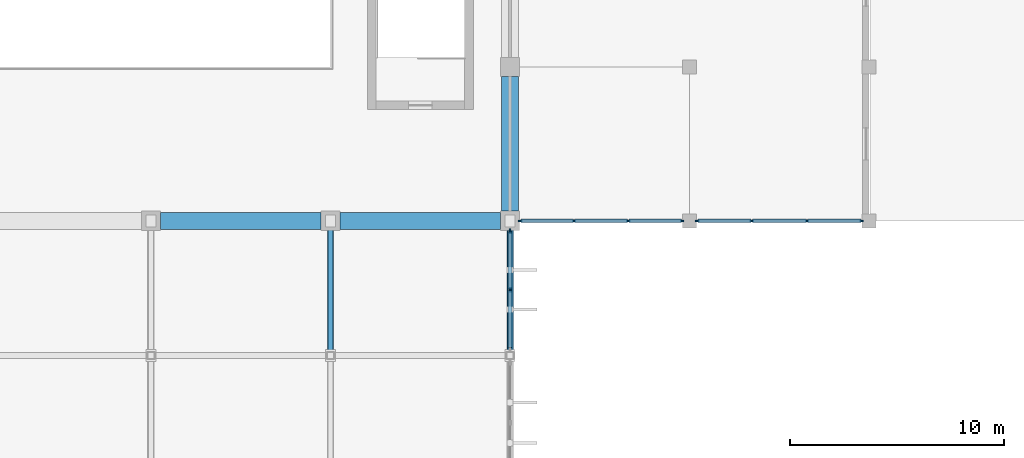
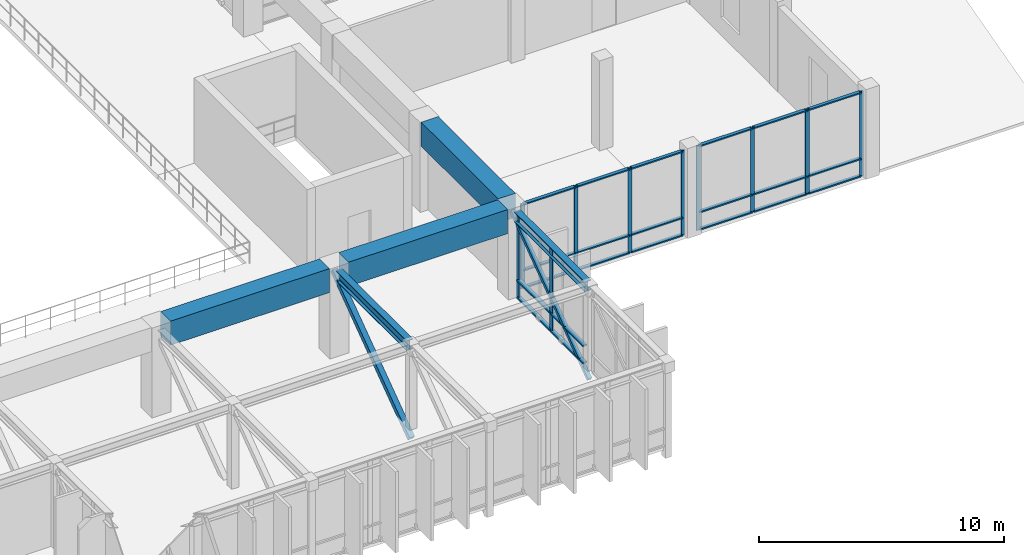
# One storey, part 9 of 40: 36 members, 5 beams, 3 elements without a shape of their own.
"""IFC4 building model written with IfcOpenShell, lengths in metres."""

from ifc_helpers import new_model, si_unit, direction, frame, origin, origin_2d, place, context, subcontext, project, spatial, rectangle, hollow_rectangle, i_section, extrude, material, material_profile, profile_set, type_object, element, aggregate, save


model = new_model("IFC4")

# Units and contexts
model_context = context("Model", 3, precision=1e-05, world=origin(), true_north=direction((0.0, 1.0)))
body_context = subcontext(model_context, "Body", "Model", "MODEL_VIEW")
ifc_project = project(units=[si_unit("LENGTHUNIT", "METRE"), si_unit("AREAUNIT", "SQUARE_METRE"), si_unit("VOLUMEUNIT", "CUBIC_METRE"), si_unit("PLANEANGLEUNIT", "RADIAN"), si_unit("MASSUNIT", "GRAM", prefix="KILO")], contexts=[model_context])

# Site, building, storey
site_placement = place(None, origin())
site = spatial("IfcSite", under=ifc_project, at=site_placement, CompositionType="ELEMENT")
building_placement = place(site_placement, origin())
building = spatial("IfcBuilding", under=site, at=building_placement, Name="Kenerak Square Central Library", CompositionType="ELEMENT")
storey_placement = place(building_placement, frame((0.0, 0.0, 14.39990234375)))
storey = spatial("IfcBuildingStorey", under=building, at=storey_placement, Name="L03", CompositionType="ELEMENT", Elevation=14.39990234375)

# Beams
ifc_material_1 = material(Name="Steel S355", Category="steel")
ifc_material_profile_1 = material_profile(ifc_material_1, i_section(OverallWidth=0.300048828125, OverallDepth=0.5, WebThickness=0.014404296875, FlangeThickness=0.028076171875, FilletRadius=0.027099609375, at=origin_2d()), Name="HEB 500")
ifc_profile_set_1 = profile_set([ifc_material_profile_1], Name="Steel S355")
beam_type_1 = type_object("IfcBeamType", Name="Backspan Steel Girder SB-03 HEB 500 S355", PredefinedType="BEAM", material=ifc_profile_set_1)
for number, where, z_axis, x_axis, name in (
    (1, (108.800048828125, 10.6201171875, 4.025146484375), (0.0, 1.0, 0.0), (-1.0, 0.0, 0.0), "Wall-Truss Chord 7 L03 104"),
    (2, (117.199951171875, 10.6201171875, 4.025146484375), (0.0, 1.0, 0.0), (-1.0, 0.0, 0.0), "Wall-Truss Chord 8 L03 120"),
):
    element("IfcBeam", number, at=place(storey_placement, frame(where, z_axis=z_axis, x_axis=x_axis)), inside=storey, type_object=beam_type_1, Name=name, PredefinedType="BEAM", context=body_context, shape_type="SweptSolid", body=[
        extrude(i_section(OverallWidth=0.300048828125, OverallDepth=0.5, WebThickness=0.014404296875, FlangeThickness=0.028076171875, FilletRadius=0.027099609375, at=origin_2d()), origin(), (0.0, 0.0, 1.0), 5.77978515625),
    ])

# Curtain wall, members
ifc_material_2 = material(Name="Anodised aluminium and solar-control low-E glazing", Category="aluminium")
curtain_wall_type_1 = type_object("IfcCurtainWallType", Name="Curtain Wall CW-V6-77x42 7750x4230", PredefinedType="USERDEFINED", material=ifc_material_2)
curtain_wall_1_placement = place(storey_placement, origin())
curtain_wall_1 = element("IfcCurtainWall", 3, at=curtain_wall_1_placement, inside=storey, type_object=curtain_wall_type_1, Name="Curtain Wall CW-V6-77x42 L03 0125", ObjectType="CURTAIN WALL", PredefinedType="USERDEFINED")
ifc_material_3 = material(Name="Anodised aluminium 6063-T6", Category="aluminium")
ifc_material_profile_2 = material_profile(ifc_material_3, rectangle(XDim=0.06494140625, YDim=0.179931640625, at=origin_2d()), Name="AL MULLION 65x180")
ifc_profile_set_2 = profile_set([ifc_material_profile_2], Name="Anodised aluminium 6063-T6")
member_type_1 = type_object("IfcMemberType", Name="Curtain Mullion CM-01 65x180", PredefinedType="MULLION", material=ifc_profile_set_2)
member_1_placement = place(storey_placement, frame((133.642578125, 16.800048828125, 0.0), z_axis=(0.0, 0.0, 1.0), x_axis=(0.0, -1.0, 0.0)))
member_1 = element("IfcMember", 4, at=member_1_placement, type_object=member_type_1, Name="CW-V6-77x42 Mullion 1", PredefinedType="MULLION", context=body_context, shape_type="SweptSolid", body=[
    extrude(rectangle(XDim=0.06494140625, YDim=0.179931640625, at=origin_2d()), origin(), (0.0, 0.0, 1.0), 4.22998046875),
])
member_2_placement = place(storey_placement, frame((131.091552734375, 16.800048828125, 0.0), z_axis=(0.0, 0.0, 1.0), x_axis=(0.0, -1.0, 0.0)))
member_2 = element("IfcMember", 5, at=member_2_placement, type_object=member_type_1, Name="CW-V6-77x42 Mullion 2", PredefinedType="MULLION", context=body_context, shape_type="SweptSolid", body=[
    extrude(rectangle(XDim=0.06494140625, YDim=0.179931640625, at=origin_2d()), origin(), (0.0, 0.0, 1.0), 4.22998046875),
])
member_3_placement = place(storey_placement, frame((128.50830078125, 16.800048828125, 0.0), z_axis=(0.0, 0.0, 1.0), x_axis=(0.0, -1.0, 0.0)))
member_3 = element("IfcMember", 6, at=member_3_placement, type_object=member_type_1, Name="CW-V6-77x42 Mullion 3", PredefinedType="MULLION", context=body_context, shape_type="SweptSolid", body=[
    extrude(rectangle(XDim=0.06494140625, YDim=0.179931640625, at=origin_2d()), origin(), (0.0, 0.0, 1.0), 4.22998046875),
])
member_4_placement = place(storey_placement, frame((125.95751953125, 16.800048828125, 0.0), z_axis=(0.0, 0.0, 1.0), x_axis=(0.0, -1.0, 0.0)))
member_4 = element("IfcMember", 7, at=member_4_placement, type_object=member_type_1, Name="CW-V6-77x42 Mullion 4", PredefinedType="MULLION", context=body_context, shape_type="SweptSolid", body=[
    extrude(rectangle(XDim=0.06494140625, YDim=0.179931640625, at=origin_2d()), origin(), (0.0, 0.0, 1.0), 4.22998046875),
])

curtain_wall_type_2 = type_object("IfcCurtainWallType", Name="Curtain Wall CW-V6-76x42 7625x4230", PredefinedType="USERDEFINED", material=ifc_material_2)
curtain_wall_2_placement = place(storey_placement, origin())
curtain_wall_2 = element("IfcCurtainWall", 8, at=curtain_wall_2_placement, inside=storey, type_object=curtain_wall_type_2, Name="Curtain Wall CW-V6-76x42 L03 0126", ObjectType="CURTAIN WALL", PredefinedType="USERDEFINED")
member_5_placement = place(storey_placement, frame((125.242431640625, 16.800048828125, 0.0), z_axis=(0.0, 0.0, 1.0), x_axis=(0.0, -1.0, 0.0)))
member_5 = element("IfcMember", 9, at=member_5_placement, type_object=member_type_1, Name="CW-V6-76x42 Mullion 1", PredefinedType="MULLION", context=body_context, shape_type="SweptSolid", body=[
    extrude(rectangle(XDim=0.06494140625, YDim=0.179931640625, at=origin_2d()), origin(), (0.0, 0.0, 1.0), 4.22998046875),
])
member_6_placement = place(storey_placement, frame((122.7333984375, 16.800048828125, 0.0), z_axis=(0.0, 0.0, 1.0), x_axis=(0.0, -1.0, 0.0)))
member_6 = element("IfcMember", 10, at=member_6_placement, type_object=member_type_1, Name="CW-V6-76x42 Mullion 2", PredefinedType="MULLION", context=body_context, shape_type="SweptSolid", body=[
    extrude(rectangle(XDim=0.06494140625, YDim=0.179931640625, at=origin_2d()), origin(), (0.0, 0.0, 1.0), 4.22998046875),
])
member_7_placement = place(storey_placement, frame((120.191650390625, 16.800048828125, 0.0), z_axis=(0.0, 0.0, 1.0), x_axis=(0.0, -1.0, 0.0)))
member_7 = element("IfcMember", 11, at=member_7_placement, type_object=member_type_1, Name="CW-V6-76x42 Mullion 3", PredefinedType="MULLION", context=body_context, shape_type="SweptSolid", body=[
    extrude(rectangle(XDim=0.06494140625, YDim=0.179931640625, at=origin_2d()), origin(), (0.0, 0.0, 1.0), 4.22998046875),
])
member_8_placement = place(storey_placement, frame((117.6826171875, 16.800048828125, 0.0), z_axis=(0.0, 0.0, 1.0), x_axis=(0.0, -1.0, 0.0)))
member_8 = element("IfcMember", 12, at=member_8_placement, type_object=member_type_1, Name="CW-V6-76x42 Mullion 4", PredefinedType="MULLION", context=body_context, shape_type="SweptSolid", body=[
    extrude(rectangle(XDim=0.06494140625, YDim=0.179931640625, at=origin_2d()), origin(), (0.0, 0.0, 1.0), 4.22998046875),
])

curtain_wall_type_3 = type_object("IfcCurtainWallType", Name="Curtain Wall CW-V1-55x42 5550x4230", PredefinedType="USERDEFINED", material=ifc_material_2)
curtain_wall_3_placement = place(storey_placement, origin())
curtain_wall_3 = element("IfcCurtainWall", 13, at=curtain_wall_3_placement, inside=storey, type_object=curtain_wall_type_3, Name="Curtain Wall CW-V1-55x42 L03 0127", ObjectType="CURTAIN WALL", PredefinedType="USERDEFINED")
ifc_material_profile_3 = material_profile(ifc_material_3, rectangle(XDim=0.074951171875, YDim=0.219970703125, at=origin_2d()), Name="AL MULLION 75x220")
ifc_profile_set_3 = profile_set([ifc_material_profile_3], Name="Anodised aluminium 6063-T6")
member_type_2 = type_object("IfcMemberType", Name="Curtain Mullion CM-02 75x220", PredefinedType="MULLION", material=ifc_profile_set_3)
member_9_placement = place(storey_placement, frame((117.199951171875, 16.3125, 0.0), z_axis=(0.0, 0.0, 1.0), x_axis=(1.0, 0.0, 0.0)))
member_9 = element("IfcMember", 14, at=member_9_placement, type_object=member_type_2, Name="CW-V1-55x42 Mullion 1", PredefinedType="MULLION", context=body_context, shape_type="SweptSolid", body=[
    extrude(rectangle(XDim=0.074951171875, YDim=0.219970703125, at=origin_2d()), origin(), (0.0, 0.0, 1.0), 4.22998046875),
])
member_10_placement = place(storey_placement, frame((117.199951171875, 13.574951171875, 0.0), z_axis=(0.0, 0.0, 1.0), x_axis=(1.0, 0.0, 0.0)))
member_10 = element("IfcMember", 15, at=member_10_placement, type_object=member_type_2, Name="CW-V1-55x42 Mullion 2", PredefinedType="MULLION", context=body_context, shape_type="SweptSolid", body=[
    extrude(rectangle(XDim=0.074951171875, YDim=0.219970703125, at=origin_2d()), origin(), (0.0, 0.0, 1.0), 4.22998046875),
])

# Member
ifc_material_profile_4 = material_profile(ifc_material_3, rectangle(XDim=0.159912109375, YDim=0.06494140625, at=origin_2d()), Name="AL TRANSOM 160x65")
ifc_profile_set_4 = profile_set([ifc_material_profile_4], Name="Anodised aluminium 6063-T6")
member_type_3 = type_object("IfcMemberType", Name="Curtain Transom CT-11 160x65", PredefinedType="USERDEFINED", material=ifc_profile_set_4)
member_11_placement = place(storey_placement, frame((133.610107421875, 16.800048828125, 0.03271484375), z_axis=(-1.0, 0.0, 0.0), x_axis=(0.0, -1.0, 0.0)))
member_11 = element("IfcMember", 16, at=member_11_placement, type_object=member_type_3, Name="CW-V6-77x42 Transom 1.1", ObjectType="TRANSOM", PredefinedType="USERDEFINED", context=body_context, shape_type="SweptSolid", body=[
    extrude(rectangle(XDim=0.159912109375, YDim=0.06494140625, at=origin_2d()), origin(), (0.0, 0.0, 1.0), 2.48583984375),
])

member_12_placement = place(storey_placement, frame((133.610107421875, 16.800048828125, 0.900146484375), z_axis=(-1.0, 0.0, 0.0), x_axis=(0.0, -1.0, 0.0)))
member_12 = element("IfcMember", 17, at=member_12_placement, type_object=member_type_3, Name="CW-V6-77x42 Transom 1.2", ObjectType="TRANSOM", PredefinedType="USERDEFINED", context=body_context, shape_type="SweptSolid", body=[
    extrude(rectangle(XDim=0.159912109375, YDim=0.06494140625, at=origin_2d()), origin(), (0.0, 0.0, 1.0), 2.48583984375),
])

member_13_placement = place(storey_placement, frame((133.610107421875, 16.800048828125, 4.197509765625), z_axis=(-1.0, 0.0, 0.0), x_axis=(0.0, -1.0, 0.0)))
member_13 = element("IfcMember", 18, at=member_13_placement, type_object=member_type_3, Name="CW-V6-77x42 Transom 1.3", ObjectType="TRANSOM", PredefinedType="USERDEFINED", context=body_context, shape_type="SweptSolid", body=[
    extrude(rectangle(XDim=0.159912109375, YDim=0.06494140625, at=origin_2d()), origin(), (0.0, 0.0, 1.0), 2.48583984375),
])

member_14_placement = place(storey_placement, frame((131.05908203125, 16.800048828125, 0.03271484375), z_axis=(-1.0, 0.0, 0.0), x_axis=(0.0, -1.0, 0.0)))
member_14 = element("IfcMember", 19, at=member_14_placement, type_object=member_type_3, Name="CW-V6-77x42 Transom 2.1", ObjectType="TRANSOM", PredefinedType="USERDEFINED", context=body_context, shape_type="SweptSolid", body=[
    extrude(rectangle(XDim=0.159912109375, YDim=0.06494140625, at=origin_2d()), origin(), (0.0, 0.0, 1.0), 2.518310546875),
])

member_15_placement = place(storey_placement, frame((131.05908203125, 16.800048828125, 0.900146484375), z_axis=(-1.0, 0.0, 0.0), x_axis=(0.0, -1.0, 0.0)))
member_15 = element("IfcMember", 20, at=member_15_placement, type_object=member_type_3, Name="CW-V6-77x42 Transom 2.2", ObjectType="TRANSOM", PredefinedType="USERDEFINED", context=body_context, shape_type="SweptSolid", body=[
    extrude(rectangle(XDim=0.159912109375, YDim=0.06494140625, at=origin_2d()), origin(), (0.0, 0.0, 1.0), 2.518310546875),
])

member_16_placement = place(storey_placement, frame((131.05908203125, 16.800048828125, 4.197509765625), z_axis=(-1.0, 0.0, 0.0), x_axis=(0.0, -1.0, 0.0)))
member_16 = element("IfcMember", 21, at=member_16_placement, type_object=member_type_3, Name="CW-V6-77x42 Transom 2.3", ObjectType="TRANSOM", PredefinedType="USERDEFINED", context=body_context, shape_type="SweptSolid", body=[
    extrude(rectangle(XDim=0.159912109375, YDim=0.06494140625, at=origin_2d()), origin(), (0.0, 0.0, 1.0), 2.518310546875),
])

member_17_placement = place(storey_placement, frame((128.475830078125, 16.800048828125, 0.03271484375), z_axis=(-1.0, 0.0, 0.0), x_axis=(0.0, -1.0, 0.0)))
member_17 = element("IfcMember", 22, at=member_17_placement, type_object=member_type_3, Name="CW-V6-77x42 Transom 3.1", ObjectType="TRANSOM", PredefinedType="USERDEFINED", context=body_context, shape_type="SweptSolid", body=[
    extrude(rectangle(XDim=0.159912109375, YDim=0.06494140625, at=origin_2d()), origin(), (0.0, 0.0, 1.0), 2.48583984375),
])

member_18_placement = place(storey_placement, frame((128.475830078125, 16.800048828125, 0.900146484375), z_axis=(-1.0, 0.0, 0.0), x_axis=(0.0, -1.0, 0.0)))
member_18 = element("IfcMember", 23, at=member_18_placement, type_object=member_type_3, Name="CW-V6-77x42 Transom 3.2", ObjectType="TRANSOM", PredefinedType="USERDEFINED", context=body_context, shape_type="SweptSolid", body=[
    extrude(rectangle(XDim=0.159912109375, YDim=0.06494140625, at=origin_2d()), origin(), (0.0, 0.0, 1.0), 2.48583984375),
])

member_19_placement = place(storey_placement, frame((128.475830078125, 16.800048828125, 4.197509765625), z_axis=(-1.0, 0.0, 0.0), x_axis=(0.0, -1.0, 0.0)))
member_19 = element("IfcMember", 24, at=member_19_placement, type_object=member_type_3, Name="CW-V6-77x42 Transom 3.3", ObjectType="TRANSOM", PredefinedType="USERDEFINED", context=body_context, shape_type="SweptSolid", body=[
    extrude(rectangle(XDim=0.159912109375, YDim=0.06494140625, at=origin_2d()), origin(), (0.0, 0.0, 1.0), 2.48583984375),
])

aggregate(curtain_wall_1, [member_1, member_2, member_3, member_4, member_11, member_12, member_13, member_14, member_15, member_16, member_17, member_18, member_19])

member_20_placement = place(storey_placement, frame((125.2099609375, 16.800048828125, 0.03271484375), z_axis=(-1.0, 0.0, 0.0), x_axis=(0.0, -1.0, 0.0)))
member_20 = element("IfcMember", 25, at=member_20_placement, type_object=member_type_3, Name="CW-V6-76x42 Transom 1.1", ObjectType="TRANSOM", PredefinedType="USERDEFINED", context=body_context, shape_type="SweptSolid", body=[
    extrude(rectangle(XDim=0.159912109375, YDim=0.06494140625, at=origin_2d()), origin(), (0.0, 0.0, 1.0), 2.444091796875),
])

member_21_placement = place(storey_placement, frame((125.2099609375, 16.800048828125, 0.900146484375), z_axis=(-1.0, 0.0, 0.0), x_axis=(0.0, -1.0, 0.0)))
member_21 = element("IfcMember", 26, at=member_21_placement, type_object=member_type_3, Name="CW-V6-76x42 Transom 1.2", ObjectType="TRANSOM", PredefinedType="USERDEFINED", context=body_context, shape_type="SweptSolid", body=[
    extrude(rectangle(XDim=0.159912109375, YDim=0.06494140625, at=origin_2d()), origin(), (0.0, 0.0, 1.0), 2.444091796875),
])

member_22_placement = place(storey_placement, frame((125.2099609375, 16.800048828125, 4.197509765625), z_axis=(-1.0, 0.0, 0.0), x_axis=(0.0, -1.0, 0.0)))
member_22 = element("IfcMember", 27, at=member_22_placement, type_object=member_type_3, Name="CW-V6-76x42 Transom 1.3", ObjectType="TRANSOM", PredefinedType="USERDEFINED", context=body_context, shape_type="SweptSolid", body=[
    extrude(rectangle(XDim=0.159912109375, YDim=0.06494140625, at=origin_2d()), origin(), (0.0, 0.0, 1.0), 2.444091796875),
])

member_23_placement = place(storey_placement, frame((122.700927734375, 16.800048828125, 0.03271484375), z_axis=(-1.0, 0.0, 0.0), x_axis=(0.0, -1.0, 0.0)))
member_23 = element("IfcMember", 28, at=member_23_placement, type_object=member_type_3, Name="CW-V6-76x42 Transom 2.1", ObjectType="TRANSOM", PredefinedType="USERDEFINED", context=body_context, shape_type="SweptSolid", body=[
    extrude(rectangle(XDim=0.159912109375, YDim=0.06494140625, at=origin_2d()), origin(), (0.0, 0.0, 1.0), 2.476806640625),
])

member_24_placement = place(storey_placement, frame((122.700927734375, 16.800048828125, 0.900146484375), z_axis=(-1.0, 0.0, 0.0), x_axis=(0.0, -1.0, 0.0)))
member_24 = element("IfcMember", 29, at=member_24_placement, type_object=member_type_3, Name="CW-V6-76x42 Transom 2.2", ObjectType="TRANSOM", PredefinedType="USERDEFINED", context=body_context, shape_type="SweptSolid", body=[
    extrude(rectangle(XDim=0.159912109375, YDim=0.06494140625, at=origin_2d()), origin(), (0.0, 0.0, 1.0), 2.476806640625),
])

member_25_placement = place(storey_placement, frame((122.700927734375, 16.800048828125, 4.197509765625), z_axis=(-1.0, 0.0, 0.0), x_axis=(0.0, -1.0, 0.0)))
member_25 = element("IfcMember", 30, at=member_25_placement, type_object=member_type_3, Name="CW-V6-76x42 Transom 2.3", ObjectType="TRANSOM", PredefinedType="USERDEFINED", context=body_context, shape_type="SweptSolid", body=[
    extrude(rectangle(XDim=0.159912109375, YDim=0.06494140625, at=origin_2d()), origin(), (0.0, 0.0, 1.0), 2.476806640625),
])

member_26_placement = place(storey_placement, frame((120.1591796875, 16.800048828125, 0.03271484375), z_axis=(-1.0, 0.0, 0.0), x_axis=(0.0, -1.0, 0.0)))
member_26 = element("IfcMember", 31, at=member_26_placement, type_object=member_type_3, Name="CW-V6-76x42 Transom 3.1", ObjectType="TRANSOM", PredefinedType="USERDEFINED", context=body_context, shape_type="SweptSolid", body=[
    extrude(rectangle(XDim=0.159912109375, YDim=0.06494140625, at=origin_2d()), origin(), (0.0, 0.0, 1.0), 2.444091796875),
])

member_27_placement = place(storey_placement, frame((120.1591796875, 16.800048828125, 0.900146484375), z_axis=(-1.0, 0.0, 0.0), x_axis=(0.0, -1.0, 0.0)))
member_27 = element("IfcMember", 32, at=member_27_placement, type_object=member_type_3, Name="CW-V6-76x42 Transom 3.2", ObjectType="TRANSOM", PredefinedType="USERDEFINED", context=body_context, shape_type="SweptSolid", body=[
    extrude(rectangle(XDim=0.159912109375, YDim=0.06494140625, at=origin_2d()), origin(), (0.0, 0.0, 1.0), 2.444091796875),
])

member_28_placement = place(storey_placement, frame((120.1591796875, 16.800048828125, 4.197509765625), z_axis=(-1.0, 0.0, 0.0), x_axis=(0.0, -1.0, 0.0)))
member_28 = element("IfcMember", 33, at=member_28_placement, type_object=member_type_3, Name="CW-V6-76x42 Transom 3.3", ObjectType="TRANSOM", PredefinedType="USERDEFINED", context=body_context, shape_type="SweptSolid", body=[
    extrude(rectangle(XDim=0.159912109375, YDim=0.06494140625, at=origin_2d()), origin(), (0.0, 0.0, 1.0), 2.444091796875),
])

aggregate(curtain_wall_2, [member_5, member_6, member_7, member_8, member_20, member_21, member_22, member_23, member_24, member_25, member_26, member_27, member_28])

ifc_material_profile_5 = material_profile(ifc_material_3, rectangle(XDim=0.199951171875, YDim=0.074951171875, at=origin_2d()), Name="AL TRANSOM 200x75")
ifc_profile_set_5 = profile_set([ifc_material_profile_5], Name="Anodised aluminium 6063-T6")
member_type_4 = type_object("IfcMemberType", Name="Curtain Transom CT-12 200x75", PredefinedType="USERDEFINED", material=ifc_profile_set_5)
member_29_placement = place(storey_placement, frame((117.199951171875, 16.27490234375, 0.03759765625), z_axis=(0.0, -1.0, 0.0), x_axis=(1.0, 0.0, 0.0)))
member_29 = element("IfcMember", 34, at=member_29_placement, type_object=member_type_4, Name="CW-V1-55x42 Transom 1.1", ObjectType="TRANSOM", PredefinedType="USERDEFINED", context=body_context, shape_type="SweptSolid", body=[
    extrude(rectangle(XDim=0.199951171875, YDim=0.074951171875, at=origin_2d()), origin(), (0.0, 0.0, 1.0), 2.662353515625),
])

member_30_placement = place(storey_placement, frame((117.199951171875, 16.27490234375, 0.900146484375), z_axis=(0.0, -1.0, 0.0), x_axis=(1.0, 0.0, 0.0)))
member_30 = element("IfcMember", 35, at=member_30_placement, type_object=member_type_4, Name="CW-V1-55x42 Transom 1.2", ObjectType="TRANSOM", PredefinedType="USERDEFINED", context=body_context, shape_type="SweptSolid", body=[
    extrude(rectangle(XDim=0.199951171875, YDim=0.074951171875, at=origin_2d()), origin(), (0.0, 0.0, 1.0), 2.662353515625),
])

member_31_placement = place(storey_placement, frame((117.199951171875, 16.27490234375, 4.192626953125), z_axis=(0.0, -1.0, 0.0), x_axis=(1.0, 0.0, 0.0)))
member_31 = element("IfcMember", 36, at=member_31_placement, type_object=member_type_4, Name="CW-V1-55x42 Transom 1.3", ObjectType="TRANSOM", PredefinedType="USERDEFINED", context=body_context, shape_type="SweptSolid", body=[
    extrude(rectangle(XDim=0.199951171875, YDim=0.074951171875, at=origin_2d()), origin(), (0.0, 0.0, 1.0), 2.662353515625),
])

member_32_placement = place(storey_placement, frame((117.199951171875, 13.53759765625, 0.03759765625), z_axis=(0.0, -1.0, 0.0), x_axis=(1.0, 0.0, 0.0)))
member_32 = element("IfcMember", 37, at=member_32_placement, type_object=member_type_4, Name="CW-V1-55x42 Transom 2.1", ObjectType="TRANSOM", PredefinedType="USERDEFINED", context=body_context, shape_type="SweptSolid", body=[
    extrude(rectangle(XDim=0.199951171875, YDim=0.074951171875, at=origin_2d()), origin(), (0.0, 0.0, 1.0), 2.66259765625),
])

member_33_placement = place(storey_placement, frame((117.199951171875, 13.53759765625, 0.900146484375), z_axis=(0.0, -1.0, 0.0), x_axis=(1.0, 0.0, 0.0)))
member_33 = element("IfcMember", 38, at=member_33_placement, type_object=member_type_4, Name="CW-V1-55x42 Transom 2.2", ObjectType="TRANSOM", PredefinedType="USERDEFINED", context=body_context, shape_type="SweptSolid", body=[
    extrude(rectangle(XDim=0.199951171875, YDim=0.074951171875, at=origin_2d()), origin(), (0.0, 0.0, 1.0), 2.66259765625),
])

member_34_placement = place(storey_placement, frame((117.199951171875, 13.53759765625, 4.192626953125), z_axis=(0.0, -1.0, 0.0), x_axis=(1.0, 0.0, 0.0)))
member_34 = element("IfcMember", 39, at=member_34_placement, type_object=member_type_4, Name="CW-V1-55x42 Transom 2.3", ObjectType="TRANSOM", PredefinedType="USERDEFINED", context=body_context, shape_type="SweptSolid", body=[
    extrude(rectangle(XDim=0.199951171875, YDim=0.074951171875, at=origin_2d()), origin(), (0.0, 0.0, 1.0), 2.66259765625),
])

aggregate(curtain_wall_3, [member_9, member_10, member_29, member_30, member_31, member_32, member_33, member_34])

# Beams
ifc_material_4 = material(Name="Concrete C45/55", Category="concrete")
ifc_material_profile_6 = material_profile(ifc_material_4, rectangle(XDim=0.800048828125, YDim=1.199951171875, at=origin_2d()), Name="RC 800x1200")
ifc_profile_set_6 = profile_set([ifc_material_profile_6], Name="Concrete C45/55")
beam_type_2 = type_object("IfcBeamType", Name="Gridshell Ring Beam RB-01 RC 800x1200 C45/55", PredefinedType="BEAM", material=ifc_profile_set_6)
for number, where, z_axis, x_axis, name in (
    (40, (100.85009765625, 16.800048828125, 3.880126953125), (1.0, 0.0, 0.0), (0.0, 1.0, 0.0), "Gridshell Ring Beam RB-01 06"),
    (41, (109.25, 16.800048828125, 3.880126953125), (1.0, 0.0, 0.0), (0.0, 1.0, 0.0), "Gridshell Ring Beam RB-01 07"),
):
    element("IfcBeam", number, at=place(storey_placement, frame(where, z_axis=z_axis, x_axis=x_axis)), inside=storey, type_object=beam_type_2, Name=name, PredefinedType="BEAM", context=body_context, shape_type="SweptSolid", body=[
        extrude(rectangle(XDim=0.800048828125, YDim=1.199951171875, at=origin_2d()), origin(), (0.0, 0.0, 1.0), 7.5),
    ])
beam_placement = place(storey_placement, frame((117.199951171875, 17.25, 3.880126953125), z_axis=(0.0, 1.0, 0.0), x_axis=(-1.0, 0.0, 0.0)))
element("IfcBeam", 42, at=beam_placement, inside=storey, type_object=beam_type_2, Name="Gridshell Ring Beam RB-01 20", PredefinedType="BEAM", context=body_context, shape_type="SweptSolid", body=[
    extrude(rectangle(XDim=0.800048828125, YDim=1.199951171875, at=origin_2d()), origin(), (0.0, 0.0, 1.0), 6.300048828125),
])

# Members
ifc_material_profile_7 = material_profile(ifc_material_1, hollow_rectangle(XDim=0.179931640625, YDim=0.179931640625, WallThickness=0.008056640625, at=origin_2d()), Name="SHS 180x180x8.0")
ifc_profile_set_7 = profile_set([ifc_material_profile_7], Name="Steel S355")
member_type_5 = type_object("IfcMemberType", Name="Overhang Web Tie TM-06 SHS 180x180x8 S355", PredefinedType="STRUT", material=ifc_profile_set_7)
member_35_placement = place(storey_placement, frame((117.199951171875, 10.5, -0.5498046875), z_axis=(0.0, 0.809157580603, 0.587591703271), x_axis=(-1.0, 0.0, 0.0)))
element("IfcMember", 43, at=member_35_placement, inside=storey, type_object=member_type_5, Name="Wall-Truss Diagonal 8 L03 128", PredefinedType="STRUT", context=body_context, shape_type="SweptSolid", body=[
    extrude(hollow_rectangle(XDim=0.179931640625, YDim=0.179931640625, WallThickness=0.008056640625, at=origin_2d()), origin(), (0.0, 0.0, 1.0), 7.785888671875),
])
ifc_material_profile_8 = material_profile(ifc_material_1, hollow_rectangle(XDim=0.25, YDim=0.25, WallThickness=0.010009765625, at=origin_2d()), Name="SHS 250x250x10.0")
ifc_profile_set_8 = profile_set([ifc_material_profile_8], Name="Steel S355")
member_type_6 = type_object("IfcMemberType", Name="Wall-Truss Web Diagonal TM-03 SHS 250x250x10 S355", PredefinedType="BRACE", material=ifc_profile_set_8)
member_36_placement = place(storey_placement, frame((108.800048828125, 10.5, -0.5498046875), z_axis=(0.0, 0.809157580603, 0.587591703271), x_axis=(-1.0, 0.0, 0.0)))
element("IfcMember", 44, at=member_36_placement, inside=storey, type_object=member_type_6, Name="Wall-Truss Diagonal 7 L03 112", PredefinedType="BRACE", context=body_context, shape_type="SweptSolid", body=[
    extrude(hollow_rectangle(XDim=0.25, YDim=0.25, WallThickness=0.010009765625, at=origin_2d()), origin(), (0.0, 0.0, 1.0), 7.785888671875),
])

save(model, "model.ifc")
